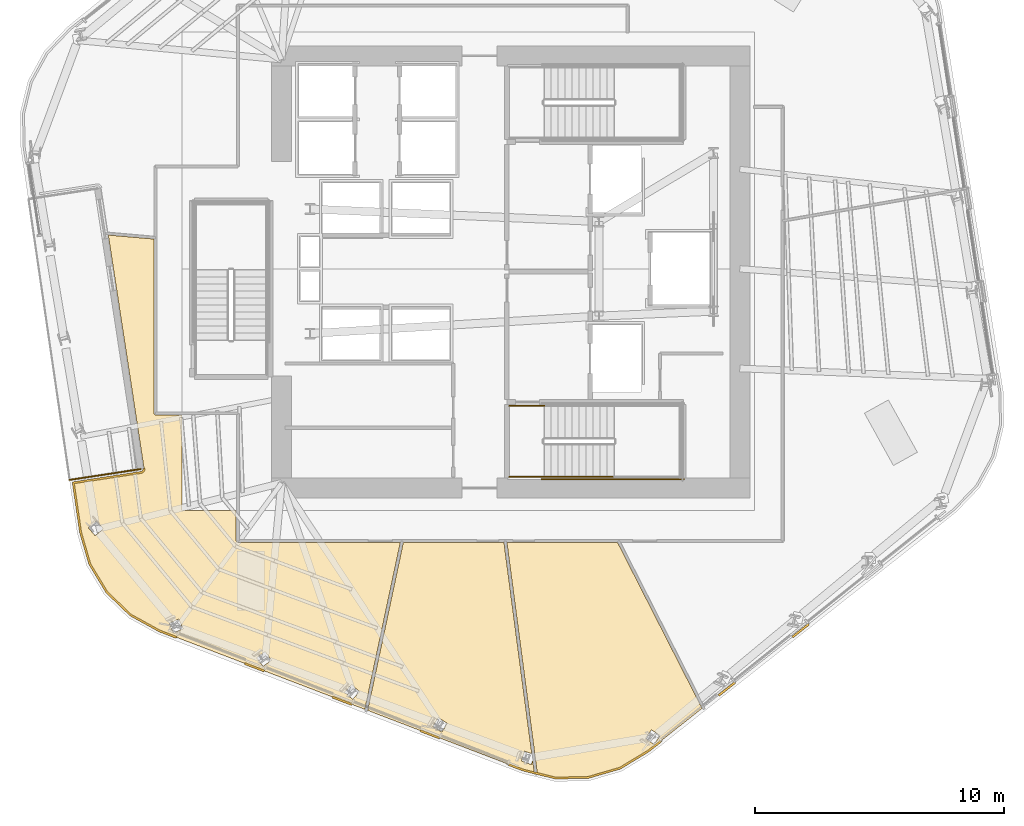
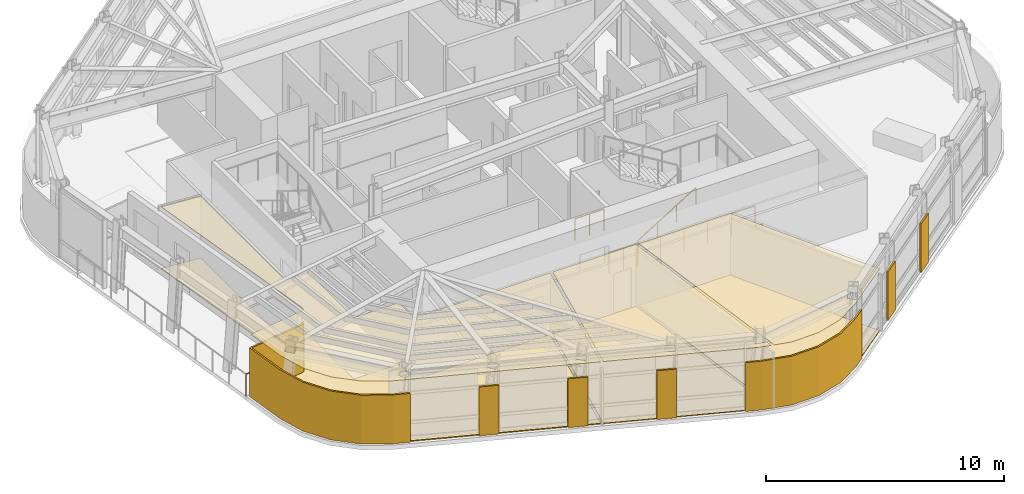
# One storey, part 10 of 15: 13 coverings, 5 railings.
"""IFC4 building model written with IfcOpenShell, lengths in metres."""

from ifc_helpers import new_model, si_unit, direction, frame, origin, origin_2d, place, context, subcontext, project, spatial, polyline, circle, outline, extrude, material, layer, layer_set, type_object, element, save


model = new_model("IFC4")

# Units and contexts
model_context = context("Model", 3, precision=1e-05, world=origin(), true_north=direction((0.0, 1.0)))
body_context = subcontext(model_context, "Body", "Model", "MODEL_VIEW")
ifc_project = project(units=[si_unit("LENGTHUNIT", "METRE"), si_unit("AREAUNIT", "SQUARE_METRE"), si_unit("VOLUMEUNIT", "CUBIC_METRE"), si_unit("PLANEANGLEUNIT", "RADIAN"), si_unit("MASSUNIT", "GRAM", prefix="KILO")], contexts=[model_context])

# Site, building, storey
site_placement = place(None, origin())
site = spatial("IfcSite", under=ifc_project, at=site_placement, CompositionType="ELEMENT")
building_placement = place(site_placement, origin())
building = spatial("IfcBuilding", under=site, at=building_placement, Name="Valkerne Bourse Tower", CompositionType="ELEMENT")
storey_placement = place(building_placement, frame((0.0, 0.0, 189.39990234375)))
storey = spatial("IfcBuildingStorey", under=building, at=storey_placement, Name="L48", CompositionType="ELEMENT", Elevation=189.39990234375)

# Coverings
ifc_material_1 = material(Name="Mineral Fiber Acoustic Ceiling Tile", Category="acoustic")
ifc_layer_1 = layer(ifc_material_1, 0.02490234375)
ifc_layer_set_1 = layer_set([ifc_layer_1], Name="Mineral Fiber Acoustic Ceiling Tile")
covering_type_1 = type_object("IfcCoveringType", Name="COV-CEIL-ACT", PredefinedType="CEILING", material=ifc_layer_set_1)
covering_1_placement = place(storey_placement, frame((0.0, 0.0, 3.170166015625)))
element("IfcCovering", 1, at=covering_1_placement, inside=storey, type_object=covering_type_1, Name="L48 Suspended Ceiling 04", PredefinedType="CEILING", context=body_context, shape_type="SweptSolid", body=[
    extrude(outline(polyline([(42.49072265625, 16.010986328125), (46.531982421875, 16.010986328125), (47.648681640625, 7.52978515625), (47.366455078125, 7.630615234375), (47.363525390625, 7.630615234375), (47.22509765625, 7.240234375), (47.623779296875, 7.097900390625), (47.626708984375, 7.097900390625), (47.68408203125, 7.259765625), (47.748779296875, 6.769775390625), (47.313232421875, 6.876708984375), (41.0576171875, 9.269287109375), (42.49072265625, 16.010986328125)]), holes=[polyline([(43.887451171875, 8.973388671875), (43.885009765625, 8.973876953125), (43.675537109375, 8.616455078125), (44.04052734375, 8.401611328125), (44.043212890625, 8.4013671875), (44.252685546875, 8.7587890625), (43.887451171875, 8.973388671875)])]), origin(), (0.0, 0.0, 1.0), 0.02490234375),
])
covering_2_placement = place(storey_placement, frame((0.0, 0.0, 3.170166015625)))
element("IfcCovering", 2, at=covering_2_placement, inside=storey, type_object=covering_type_1, Name="L48 Suspended Ceiling 05", PredefinedType="CEILING", context=body_context, shape_type="SweptSolid", body=[
    extrude(outline(polyline([(49.923583984375, 6.58740234375), (48.604248046875, 6.559814453125), (47.87158203125, 6.739501953125), (46.651123046875, 16.010986328125), (51.093505859375, 16.010986328125), (54.48681640625, 9.35107421875), (52.327880859375, 7.64404296875), (51.190673828125, 6.955322265625), (49.923583984375, 6.58740234375)]), holes=[polyline([(52.7978515625, 8.25537109375), (52.4580078125, 8.49169921875), (52.455322265625, 8.49072265625), (52.21435546875, 8.14208984375), (52.55419921875, 7.90576171875), (52.556884765625, 7.90673828125), (52.7978515625, 8.25537109375)])]), origin(), (0.0, 0.0, 1.0), 0.02490234375),
])
covering_3_placement = place(storey_placement, frame((0.0, 0.0, 3.170166015625)))
element("IfcCovering", 3, at=covering_3_placement, inside=storey, type_object=covering_type_1, Name="L48 Suspended Ceiling 06", PredefinedType="CEILING", context=body_context, shape_type="SweptSolid", body=[
    extrude(outline(polyline([(30.5927734375, 14.015625), (29.9091796875, 15.144287109375), (29.53857421875, 16.420166015625), (29.248291015625, 18.402099609375), (31.961181640625, 18.8173828125), (32.001220703125, 18.82958984375), (32.036376953125, 18.853271484375), (32.06298828125, 18.88623046875), (32.081787109375, 18.93896484375), (32.08154296875, 18.981201171875), (30.647216796875, 28.35400390625), (32.48095703125, 28.193603515625), (32.48095703125, 21.199462890625), (32.494140625, 21.1591796875), (32.52001953125, 21.1376953125), (32.549560546875, 21.131103515625), (33.60009765625, 21.131103515625), (33.60009765625, 17.300048828125), (35.781005859375, 17.300048828125), (35.781005859375, 16.0791015625), (35.798828125, 16.033447265625), (35.821044921875, 16.017333984375), (35.849609375, 16.010986328125), (42.3701171875, 16.010986328125), (40.9462890625, 9.31201171875), (32.70947265625, 12.462158203125), (31.545166015625, 13.102294921875), (30.5927734375, 14.015625)]), holes=[polyline([(36.945556640625, 11.626953125), (36.943359375, 11.62841796875), (36.60888671875, 11.384033203125), (36.858154296875, 11.04150390625), (36.8603515625, 11.040283203125), (37.19482421875, 11.28466796875), (36.945556640625, 11.626953125)]), polyline([(33.46875, 12.93701171875), (33.466796875, 12.93896484375), (33.09228515625, 12.76171875), (33.272705078125, 12.378662109375), (33.274658203125, 12.376708984375), (33.649169921875, 12.553955078125), (33.46875, 12.93701171875)]), polyline([(30.43896484375, 16.559326171875), (30.4375, 16.561767578125), (30.16943359375, 16.876220703125), (29.84619140625, 16.600830078125), (29.84765625, 16.598388671875), (30.115478515625, 16.2841796875), (30.43896484375, 16.559326171875)]), polyline([(40.416015625, 10.306396484375), (40.41357421875, 10.307373046875), (40.135986328125, 10.0), (40.44970703125, 9.715576171875), (40.4521484375, 9.714599609375), (40.72998046875, 10.02197265625), (40.416015625, 10.306396484375)])]), origin(), (0.0, 0.0, 1.0), 0.02490234375),
])
ifc_material_2 = material(Name="Bronze Anodised Aluminium AA 6063-T6", Category="aluminium")
ifc_layer_2 = layer(ifc_material_2, 0.06005859375)
ifc_layer_set_2 = layer_set([ifc_layer_2], Name="Bronze Anodised Aluminium AA 6063-T6")
covering_type_2 = type_object("IfcCoveringType", Name="COV-CRN-ALUM", PredefinedType="CLADDING", material=ifc_layer_set_2)
covering_4_placement = place(storey_placement, origin())
element("IfcCovering", 4, at=covering_4_placement, inside=storey, type_object=covering_type_2, Name="L48 Wind-Shaped Corner Aluminium Cladding 15", PredefinedType="CLADDING", context=body_context, shape_type="SweptSolid", body=[
    extrude(outline(polyline([(58.135498046875, 12.179443359375), (58.08544921875, 12.241943359375), (58.744384765625, 12.762939453125), (58.79443359375, 12.700439453125), (58.135498046875, 12.179443359375)])), origin(), (0.0, 0.0, 1.0), 2.5),
])
covering_5_placement = place(storey_placement, origin())
element("IfcCovering", 5, at=covering_5_placement, inside=storey, type_object=covering_type_2, Name="L48 Wind-Shaped Corner Aluminium Cladding 16", PredefinedType="CLADDING", context=body_context, shape_type="SweptSolid", body=[
    extrude(outline(polyline([(55.17724609375, 9.840576171875), (55.127197265625, 9.903076171875), (55.7861328125, 10.424072265625), (55.836181640625, 10.361572265625), (55.17724609375, 9.840576171875)])), origin(), (0.0, 0.0, 1.0), 2.5),
])
covering_6_placement = place(storey_placement, origin())
element("IfcCovering", 6, at=covering_6_placement, inside=storey, type_object=covering_type_2, Name="L48 Wind-Shaped Corner Aluminium Cladding 17", PredefinedType="CLADDING", context=body_context, shape_type="SweptSolid", body=[
    extrude(outline(polyline([(52.353271484375, 7.60791015625), (51.20849609375, 6.914794921875), (49.930419921875, 6.54345703125), (48.599609375, 6.515625), (47.300048828125, 6.834716796875), (46.67529296875, 7.07373046875), (46.704345703125, 7.148193359375), (47.323974609375, 6.9111328125), (48.6083984375, 6.595703125), (49.918212890625, 6.623291015625), (51.176025390625, 6.988525390625), (52.3076171875, 7.673828125), (52.827880859375, 8.085205078125), (52.8779296875, 8.022705078125), (52.353271484375, 7.60791015625)])), origin(), (0.0, 0.0, 1.0), 2.5),
])
covering_7_placement = place(storey_placement, origin())
element("IfcCovering", 7, at=covering_7_placement, inside=storey, type_object=covering_type_2, Name="L48 Wind-Shaped Corner Aluminium Cladding 18", PredefinedType="CLADDING", context=body_context, shape_type="SweptSolid", body=[
    extrude(outline(polyline([(43.153076171875, 8.4208984375), (43.18212890625, 8.495361328125), (43.966552734375, 8.1953125), (43.9375, 8.12060546875), (43.153076171875, 8.4208984375)])), origin(), (0.0, 0.0, 1.0), 2.5),
])
covering_8_placement = place(storey_placement, origin())
element("IfcCovering", 8, at=covering_8_placement, inside=storey, type_object=covering_type_2, Name="L48 Wind-Shaped Corner Aluminium Cladding 19", PredefinedType="CLADDING", context=body_context, shape_type="SweptSolid", body=[
    extrude(outline(polyline([(39.630615234375, 9.76806640625), (39.65966796875, 9.842529296875), (40.4443359375, 9.54248046875), (40.415283203125, 9.468017578125), (39.630615234375, 9.76806640625)])), origin(), (0.0, 0.0, 1.0), 2.5),
])
covering_9_placement = place(storey_placement, origin())
element("IfcCovering", 9, at=covering_9_placement, inside=storey, type_object=covering_type_2, Name="L48 Wind-Shaped Corner Aluminium Cladding 20", PredefinedType="CLADDING", context=body_context, shape_type="SweptSolid", body=[
    extrude(outline(polyline([(36.1083984375, 11.114990234375), (36.137451171875, 11.189697265625), (36.922119140625, 10.8896484375), (36.89306640625, 10.81494140625), (36.1083984375, 11.114990234375)])), origin(), (0.0, 0.0, 1.0), 2.5),
])
covering_10_placement = place(storey_placement, origin())
element("IfcCovering", 10, at=covering_10_placement, inside=storey, type_object=covering_type_2, Name="L48 Wind-Shaped Corner Aluminium Cladding 21", PredefinedType="CLADDING", context=body_context, shape_type="SweptSolid", body=[
    extrude(outline(polyline([(32.69091796875, 12.422119140625), (31.518798828125, 13.06640625), (30.55810546875, 13.98779296875), (29.86865234375, 15.12646484375), (29.495361328125, 16.410888671875), (29.198486328125, 18.439208984375), (31.9541015625, 18.86083984375), (31.9638671875, 18.86279296875), (31.97314453125, 18.865478515625), (31.982421875, 18.869384765625), (31.990966796875, 18.8740234375), (31.9990234375, 18.879638671875), (32.006591796875, 18.8857421875), (32.013427734375, 18.892822265625), (32.019775390625, 18.900390625), (32.025146484375, 18.90869140625), (32.02978515625, 18.917236328125), (32.033447265625, 18.92626953125), (32.0361328125, 18.935791015625), (32.0380859375, 18.9453125), (32.0390625, 18.955078125), (32.0390625, 18.965087890625), (32.037841796875, 18.974609375), (32.116943359375, 18.98681640625), (32.118896484375, 18.96923828125), (32.118896484375, 18.95166015625), (32.1171875, 18.93408203125), (32.114013671875, 18.916748046875), (32.10888671875, 18.899658203125), (32.102294921875, 18.88330078125), (32.093994140625, 18.867919921875), (32.084228515625, 18.85302734375), (32.072998046875, 18.83935546875), (32.060546875, 18.826904296875), (32.047119140625, 18.8154296875), (32.0322265625, 18.8056640625), (32.016845703125, 18.797119140625), (32.00048828125, 18.790283203125), (31.983642578125, 18.78515625), (31.96630859375, 18.78173828125), (29.2890625, 18.3720703125), (29.57373046875, 16.427734375), (29.9423828125, 15.158935546875), (30.62109375, 14.038330078125), (31.566650390625, 13.131591796875), (32.724609375, 12.494873046875), (33.39990234375, 12.23681640625), (33.37060546875, 12.162109375), (32.69091796875, 12.422119140625)])), origin(), (0.0, 0.0, 1.0), 2.5),
])
ifc_material_3 = material(Name="Galvanised Painted Steel", Category="steel")
ifc_layer_3 = layer(ifc_material_3, 0.044921875)
ifc_layer_set_3 = layer_set([ifc_layer_3], Name="Galvanised Painted Steel")
covering_type_3 = type_object("IfcCoveringType", Name="COV-FLR-RAF", PredefinedType="FLOORING", material=ifc_layer_set_3)
covering_11_placement = place(storey_placement, origin())
element("IfcCovering", 11, at=covering_11_placement, inside=storey, type_object=covering_type_3, Name="L48 Floor Finish 06", PredefinedType="FLOORING", context=body_context, shape_type="SweptSolid", body=[
    extrude(outline(polyline([(30.5927734375, 14.015625), (29.9091796875, 15.144287109375), (29.53857421875, 16.420166015625), (29.248291015625, 18.402099609375), (31.961181640625, 18.8173828125), (32.001220703125, 18.82958984375), (32.036376953125, 18.853271484375), (32.06298828125, 18.88623046875), (32.081787109375, 18.93896484375), (32.08154296875, 18.981201171875), (30.647216796875, 28.35400390625), (32.48095703125, 28.193603515625), (32.48095703125, 21.199462890625), (32.494140625, 21.1591796875), (32.52001953125, 21.1376953125), (32.549560546875, 21.131103515625), (33.60009765625, 21.131103515625), (33.60009765625, 17.300048828125), (35.781005859375, 17.300048828125), (35.781005859375, 16.0791015625), (35.798828125, 16.033447265625), (35.821044921875, 16.017333984375), (35.849609375, 16.010986328125), (42.3701171875, 16.010986328125), (40.9462890625, 9.31201171875), (32.70947265625, 12.462158203125), (31.545166015625, 13.102294921875), (30.5927734375, 14.015625)]), holes=[polyline([(36.945556640625, 11.626953125), (36.943359375, 11.62841796875), (36.60888671875, 11.384033203125), (36.858154296875, 11.04150390625), (36.8603515625, 11.040283203125), (37.19482421875, 11.28466796875), (36.945556640625, 11.626953125)]), polyline([(33.46875, 12.93701171875), (33.466796875, 12.93896484375), (33.09228515625, 12.76171875), (33.272705078125, 12.378662109375), (33.274658203125, 12.376708984375), (33.649169921875, 12.553955078125), (33.46875, 12.93701171875)]), polyline([(30.43896484375, 16.559326171875), (30.4375, 16.561767578125), (30.16943359375, 16.876220703125), (29.84619140625, 16.600830078125), (29.84765625, 16.598388671875), (30.115478515625, 16.2841796875), (30.43896484375, 16.559326171875)]), polyline([(40.416015625, 10.306396484375), (40.41357421875, 10.307373046875), (40.135986328125, 10.0), (40.44970703125, 9.715576171875), (40.4521484375, 9.714599609375), (40.72998046875, 10.02197265625), (40.416015625, 10.306396484375)])]), origin(), (0.0, 0.0, 1.0), 0.045166015625),
])
ifc_material_4 = material(Name="Polished Granite Stone", Category="masonry")
ifc_layer_4 = layer(ifc_material_4, 0.030029296875)
ifc_layer_set_4 = layer_set([ifc_layer_4], Name="Polished Granite Stone")
covering_type_4 = type_object("IfcCoveringType", Name="COV-FLR-TERRAZZO", PredefinedType="FLOORING", material=ifc_layer_set_4)
covering_12_placement = place(storey_placement, origin())
element("IfcCovering", 12, at=covering_12_placement, inside=storey, type_object=covering_type_4, Name="L48 Floor Finish 04", PredefinedType="FLOORING", context=body_context, shape_type="SweptSolid", body=[
    extrude(outline(polyline([(42.49072265625, 16.010986328125), (46.531982421875, 16.010986328125), (47.648681640625, 7.52978515625), (47.366455078125, 7.630615234375), (47.363525390625, 7.630615234375), (47.22509765625, 7.240234375), (47.623779296875, 7.097900390625), (47.626708984375, 7.097900390625), (47.68408203125, 7.259765625), (47.748779296875, 6.769775390625), (47.313232421875, 6.876708984375), (41.0576171875, 9.269287109375), (42.49072265625, 16.010986328125)]), holes=[polyline([(43.887451171875, 8.973388671875), (43.885009765625, 8.973876953125), (43.675537109375, 8.616455078125), (44.04052734375, 8.401611328125), (44.043212890625, 8.4013671875), (44.252685546875, 8.7587890625), (43.887451171875, 8.973388671875)])]), origin(), (0.0, 0.0, 1.0), 0.030029296875),
])
covering_13_placement = place(storey_placement, origin())
element("IfcCovering", 13, at=covering_13_placement, inside=storey, type_object=covering_type_4, Name="L48 Floor Finish 05", PredefinedType="FLOORING", context=body_context, shape_type="SweptSolid", body=[
    extrude(outline(polyline([(49.923583984375, 6.58740234375), (48.604248046875, 6.559814453125), (47.87158203125, 6.739501953125), (46.651123046875, 16.010986328125), (51.093505859375, 16.010986328125), (54.48681640625, 9.35107421875), (52.327880859375, 7.64404296875), (51.190673828125, 6.955322265625), (49.923583984375, 6.58740234375)]), holes=[polyline([(52.7978515625, 8.25537109375), (52.4580078125, 8.49169921875), (52.455322265625, 8.49072265625), (52.21435546875, 8.14208984375), (52.55419921875, 7.90576171875), (52.556884765625, 7.90673828125), (52.7978515625, 8.25537109375)])]), origin(), (0.0, 0.0, 1.0), 0.030029296875),
])

# Railings
ifc_material_5 = material(Name="Laminated Tempered Safety Glass", Category="glass")
railing_type_1 = type_object("IfcRailingType", Name="RLG-GUARD-1150", PredefinedType="BALUSTRADE", material=ifc_material_5)
railing_1_placement = place(storey_placement, frame((31.939208984375, 18.959716796875, 0.0)))
element("IfcRailing", 14, at=railing_1_placement, inside=storey, type_object=railing_type_1, Name="L48 V-Notch Terrace Glass Balustrade 2", PredefinedType="BALUSTRADE", context=body_context, shape_type="SweptSolid", body=[
    extrude(circle(Radius=0.02392578125, at=origin_2d()), frame((0.0, 0.0, 1.1259765625), z_axis=(-0.988491628232, -0.151275579376, 0.0), x_axis=(0.151275579376, -0.988491628232, 0.0)), (0.0, 0.0, 1.0), 2.88720703125),
    extrude(circle(Radius=0.02099609375, at=origin_2d()), origin(), (0.0, 0.0, 1.0), 1.101806640625),
    extrude(circle(Radius=0.02099609375, at=origin_2d()), frame((-0.951416015625, -0.1455078125, 0.0)), (0.0, 0.0, 1.0), 1.101806640625),
    extrude(circle(Radius=0.02099609375, at=origin_2d()), frame((-1.902587890625, -0.291259765625, 0.0)), (0.0, 0.0, 1.0), 1.101806640625),
    extrude(circle(Radius=0.02099609375, at=origin_2d()), frame((-2.85400390625, -0.436767578125, 0.0)), (0.0, 0.0, 1.0), 1.101806640625),
])
railing_type_2 = type_object("IfcRailingType", Name="RLG-ST-GUARD-1120", PredefinedType="GUARDRAIL", material=ifc_material_3)
for number, where, name in (
    (15, (46.75, 18.64990234375, 0.0), "L48 ST-1 stair guard 8"),
    (16, (46.75, 21.5, 0.0), "L48 ST-1 stair guard 9"),
):
    element("IfcRailing", number, at=place(storey_placement, frame(where)), inside=storey, type_object=railing_type_2, Name=name, PredefinedType="GUARDRAIL", context=body_context, shape_type="SweptSolid", body=[
        extrude(circle(Radius=0.02392578125, at=origin_2d()), frame((0.0, 0.0, 1.09619140625), z_axis=(1.0, 0.0, 0.0), x_axis=(0.0, 1.0, 0.0)), (0.0, 0.0, 1.0), 1.39990234375),
        extrude(circle(Radius=0.02099609375, at=origin_2d()), origin(), (0.0, 0.0, 1.0), 1.072021484375),
        extrude(circle(Radius=0.02099609375, at=origin_2d()), frame((0.699951171875, 0.0, 0.0)), (0.0, 0.0, 1.0), 1.072021484375),
        extrude(circle(Radius=0.02099609375, at=origin_2d()), frame((1.39990234375, 0.0, 0.0)), (0.0, 0.0, 1.0), 1.072021484375),
    ])
railing_2_placement = place(storey_placement, frame((48.050048828125, 18.550048828125, 0.0)))
element("IfcRailing", 17, at=railing_2_placement, inside=storey, type_object=railing_type_2, Name="L48 ST-1 stair guard 10", PredefinedType="GUARDRAIL", context=body_context, shape_type="SweptSolid", body=[
    extrude(circle(Radius=0.02392578125, at=origin_2d()), frame((0.0, 0.0, 1.09619140625), z_axis=(1.0, 0.0, 0.0), x_axis=(0.0, 1.0, 0.0)), (0.0, 0.0, 1.0), 5.699951171875),
    extrude(circle(Radius=0.02099609375, at=origin_2d()), origin(), (0.0, 0.0, 1.0), 1.072021484375),
    extrude(circle(Radius=0.02099609375, at=origin_2d()), frame((1.139892578125, 0.0, 0.0)), (0.0, 0.0, 1.0), 1.072021484375),
    extrude(circle(Radius=0.02099609375, at=origin_2d()), frame((2.280029296875, 0.0, 0.0)), (0.0, 0.0, 1.0), 1.072021484375),
    extrude(circle(Radius=0.02099609375, at=origin_2d()), frame((3.419921875, 0.0, 0.0)), (0.0, 0.0, 1.0), 1.072021484375),
    extrude(circle(Radius=0.02099609375, at=origin_2d()), frame((4.56005859375, 0.0, 0.0)), (0.0, 0.0, 1.0), 1.072021484375),
    extrude(circle(Radius=0.02099609375, at=origin_2d()), frame((5.699951171875, 0.0, 0.0)), (0.0, 0.0, 1.0), 1.072021484375),
])
ifc_material_6 = material(Name="Stainless Steel AISI 316", Category="steel")
railing_type_3 = type_object("IfcRailingType", Name="RLG-ST-HANDRAIL-900", PredefinedType="HANDRAIL", material=ifc_material_6)
railing_3_placement = place(storey_placement, frame((48.14990234375, 18.64990234375, 0.345458984375)))
element("IfcRailing", 18, at=railing_3_placement, inside=storey, type_object=railing_type_3, Name="L48 ST-1 stair handrail 1", PredefinedType="HANDRAIL", context=body_context, shape_type="SweptSolid", body=[
    extrude(circle(Radius=0.02392578125, at=origin_2d()), frame((0.0, 0.0, 0.8759765625), z_axis=(0.851089632645, 0.0, 0.525020415988), x_axis=(0.0, 1.0, 0.0)), (0.0, 0.0, 1.0), 3.2900390625),
    extrude(circle(Radius=0.02099609375, at=origin_2d()), origin(), (0.0, 0.0, 1.0), 0.851806640625),
    extrude(circle(Radius=0.02099609375, at=origin_2d()), frame((0.933349609375, 0.0, 0.57568359375)), (0.0, 0.0, 1.0), 0.851806640625),
    extrude(circle(Radius=0.02099609375, at=origin_2d()), frame((1.86669921875, 0.0, 1.151611328125)), (0.0, 0.0, 1.0), 0.851806640625),
    extrude(circle(Radius=0.02099609375, at=origin_2d()), frame((2.800048828125, 0.0, 1.727294921875)), (0.0, 0.0, 1.0), 0.851806640625),
])

save(model, "model.ifc")
